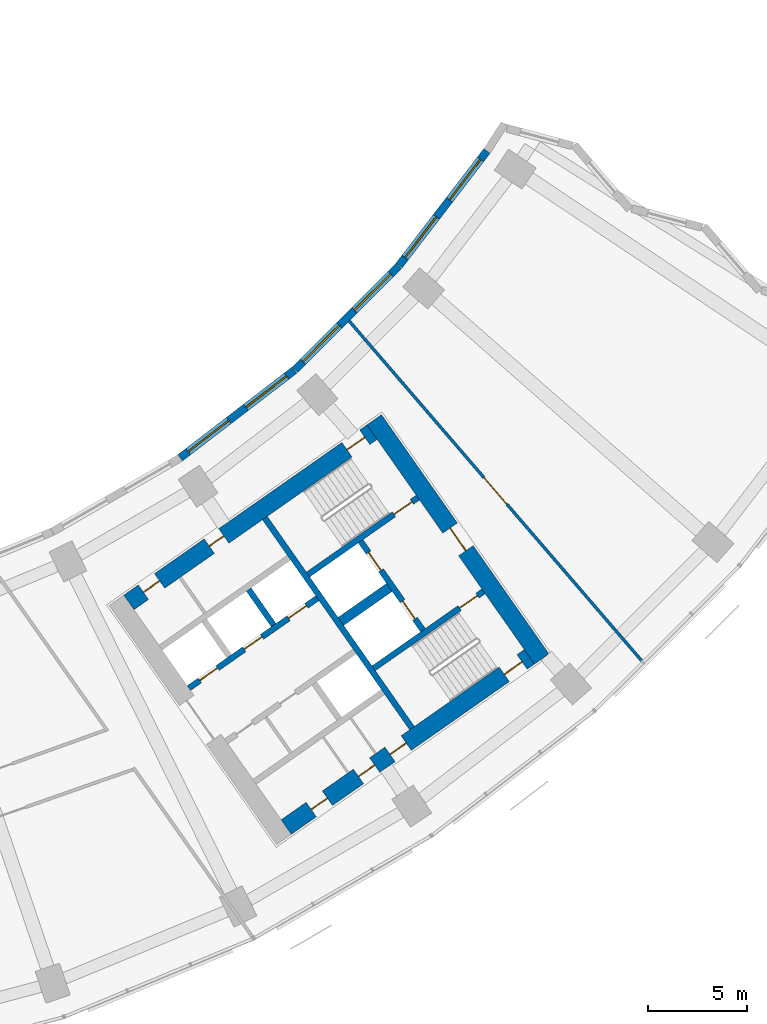
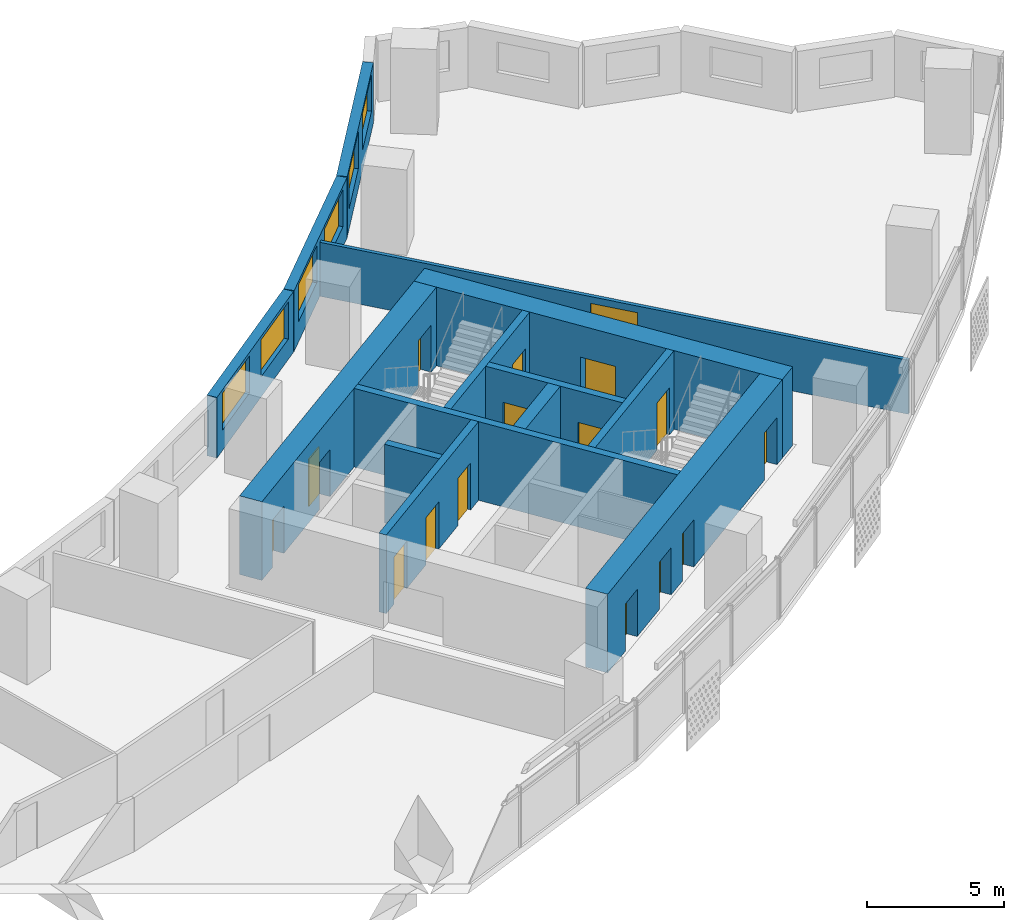
# One storey, part 7 of 31: 16 doors, 14 walls, 6 windows, 22 openings.
"""IFC4 building model written with IfcOpenShell, lengths in metres."""

from ifc_helpers import new_model, si_unit, direction, frame, frame_2d, origin, place, context, subcontext, project, spatial, rectangle, extrude, material, layer, layer_set, type_object, element, fill, save


model = new_model("IFC4")

# Units and contexts
model_context = context("Model", 3, precision=1e-05, world=origin(), true_north=direction((0.0, 1.0)))
body_context = subcontext(model_context, "Body", "Model", "MODEL_VIEW")
ifc_project = project(units=[si_unit("LENGTHUNIT", "METRE"), si_unit("AREAUNIT", "SQUARE_METRE"), si_unit("VOLUMEUNIT", "CUBIC_METRE"), si_unit("PLANEANGLEUNIT", "RADIAN"), si_unit("MASSUNIT", "GRAM", prefix="KILO")], contexts=[model_context])

# Site, building, storey
site_placement = place(None, origin())
site = spatial("IfcSite", under=ifc_project, at=site_placement, CompositionType="ELEMENT")
building_placement = place(site_placement, origin())
building = spatial("IfcBuilding", under=site, at=building_placement, Name="Qamariyya Broadcast Tower", CompositionType="ELEMENT")
storey_placement = place(building_placement, frame((0.0, 0.0, 51.89990234375)))
storey = spatial("IfcBuildingStorey", under=building, at=storey_placement, Name="L09", CompositionType="ELEMENT", Elevation=51.89990234375)

# Wall, opening, door
ifc_material_1 = material(Name="Concrete C70/85", Category="concrete")
ifc_layer_1 = layer(ifc_material_1, 0.89990234375)
ifc_layer_set_1 = layer_set([ifc_layer_1], Name="Core wall 900 mm Concrete C70/85")
wall_type_1 = type_object("IfcWallType", Name="Core wall 900 mm Concrete C70/85", PredefinedType="SHEAR", material=ifc_layer_set_1)
wall_1_placement = place(storey_placement, frame((49.778564453125, -57.191162109375, 0.0), z_axis=(0.0, 0.0, 1.0), x_axis=(-0.573577477574, 0.819151315216, 0.0)))
wall_1 = element("IfcWall", 1, at=wall_1_placement, inside=storey, type_object=wall_type_1, Name="k-E-L09-WH", PredefinedType="SHEAR", context=body_context, shape_type="SweptSolid", body=[
    extrude(rectangle(XDim=14.800048828125, YDim=0.89990234375, at=frame_2d((7.39990234375, 0.0))), origin(), (0.0, 0.0, 1.0), 3.5),
])
opening_1_placement = place(wall_1_placement, frame((6.699951171875, 0.0, 0.0)))
opening_1 = element("IfcOpeningElement", 2, at=opening_1_placement, cuts=wall_1, Name="Opening KD2-E1", PredefinedType="OPENING", context=body_context, shape_type="SweptSolid", body=[
    extrude(rectangle(XDim=1.39990234375, YDim=2.10009765625, at=frame_2d((0.699951171875, 1.050048828125))), frame((0.0, 0.4599609375, 0.0), z_axis=(0.0, -1.0, 0.0), x_axis=(1.0, 0.0, 0.0)), (0.0, 0.0, 1.0), 0.919921875),
])
ifc_material_2 = material(Name="Steel fire-resisting door leaf", Category="steel")
door_type_1 = type_object("IfcDoorType", Name="Fire-fighting lobby door KD2", OperationType="DOUBLE_DOOR_SINGLE_SWING", PredefinedType="DOOR", material=ifc_material_2)
door_1_placement = place(opening_1_placement, origin())
door_1 = element("IfcDoor", 3, at=door_1_placement, inside=storey, type_object=door_type_1, Name="k-E-L09-WH-D14", OperationType="DOUBLE_DOOR_SINGLE_SWING", OverallHeight=2.10009765625, OverallWidth=1.39990234375, PredefinedType="DOOR", context=body_context, shape_type="SweptSolid", body=[
    extrude(rectangle(XDim=1.39990234375, YDim=2.10009765625, at=frame_2d((0.699951171875, 1.050048828125))), frame((0.0, 0.02490234375, 0.0), z_axis=(0.0, -1.0, 0.0), x_axis=(1.0, 0.0, 0.0)), (0.0, 0.0, 1.0), 0.050048828125),
])
fill(opening_1, door_1)

# Wall, openings, doors
wall_2_placement = place(storey_placement, frame((28.8544921875, -54.32421875, 0.0), z_axis=(0.0, 0.0, 1.0), x_axis=(0.819145767589, 0.573585400304, 0.0)))
wall_2 = element("IfcWall", 4, at=wall_2_placement, inside=storey, type_object=wall_type_1, Name="k-E-L09-WI", PredefinedType="SHEAR", context=body_context, shape_type="SweptSolid", body=[
    extrude(rectangle(XDim=15.04541015625, YDim=0.89990234375, at=frame_2d((7.522705078125, 0.0))), origin(), (0.0, 0.0, 1.0), 3.5),
])
opening_2_placement = place(wall_2_placement, frame((0.89990234375, 0.0, 0.0)))
opening_2 = element("IfcOpeningElement", 5, at=opening_2_placement, cuts=wall_2, Name="Opening KD7-E1", PredefinedType="OPENING", context=body_context, shape_type="SweptSolid", body=[
    extrude(rectangle(XDim=1.0, YDim=2.10009765625, at=frame_2d((0.5, 1.050048828125))), frame((0.0, 0.4599609375, 0.0), z_axis=(0.0, -1.0, 0.0), x_axis=(1.0, 0.0, 0.0)), (0.0, 0.0, 1.0), 0.919921875),
])
opening_3_placement = place(wall_2_placement, frame((4.97509765625, 0.0, 0.0)))
opening_3 = element("IfcOpeningElement", 6, at=opening_3_placement, cuts=wall_2, Name="Opening KD5-E1", PredefinedType="OPENING", context=body_context, shape_type="SweptSolid", body=[
    extrude(rectangle(XDim=0.89990234375, YDim=2.10009765625, at=frame_2d((0.449951171875, 1.050048828125))), frame((0.0, 0.4599609375, 0.0), z_axis=(0.0, -1.0, 0.0), x_axis=(1.0, 0.0, 0.0)), (0.0, 0.0, 1.0), 0.919921875),
])
opening_4_placement = place(wall_2_placement, frame((13.495361328125, 0.0, 0.0)))
opening_4 = element("IfcOpeningElement", 7, at=opening_4_placement, cuts=wall_2, Name="Opening KD1-E1", PredefinedType="OPENING", context=body_context, shape_type="SweptSolid", body=[
    extrude(rectangle(XDim=1.10009765625, YDim=2.10009765625, at=frame_2d((0.550048828125, 1.050048828125))), frame((0.0, 0.4599609375, 0.0), z_axis=(0.0, -1.0, 0.0), x_axis=(1.0, 0.0, 0.0)), (0.0, 0.0, 1.0), 0.919921875),
])
door_type_2 = type_object("IfcDoorType", Name="Accessible toilet door KD7", OperationType="SINGLE_SWING_LEFT", PredefinedType="DOOR", material=ifc_material_2)
door_2_placement = place(opening_2_placement, origin())
door_2 = element("IfcDoor", 8, at=door_2_placement, inside=storey, type_object=door_type_2, Name="k-E-L09-WI-D7", OperationType="SINGLE_SWING_LEFT", OverallHeight=2.10009765625, OverallWidth=1.0, PredefinedType="DOOR", context=body_context, shape_type="SweptSolid", body=[
    extrude(rectangle(XDim=1.0, YDim=2.10009765625, at=frame_2d((0.5, 1.050048828125))), frame((0.0, 0.02490234375, 0.0), z_axis=(0.0, -1.0, 0.0), x_axis=(1.0, 0.0, 0.0)), (0.0, 0.0, 1.0), 0.050048828125),
])
fill(opening_2, door_2)
door_type_3 = type_object("IfcDoorType", Name="Stair door KD1", OperationType="SINGLE_SWING_LEFT", PredefinedType="DOOR", material=ifc_material_2)
door_3_placement = place(opening_4_placement, origin())
door_3 = element("IfcDoor", 9, at=door_3_placement, inside=storey, type_object=door_type_3, Name="k-E-L09-WI-D15", OperationType="SINGLE_SWING_RIGHT", OverallHeight=2.10009765625, OverallWidth=1.10009765625, PredefinedType="DOOR", context=body_context, shape_type="SweptSolid", body=[
    extrude(rectangle(XDim=1.10009765625, YDim=2.10009765625, at=frame_2d((0.550048828125, 1.050048828125))), frame((0.0, 0.02490234375, 0.0), z_axis=(0.0, -1.0, 0.0), x_axis=(1.0, 0.0, 0.0)), (0.0, 0.0, 1.0), 0.050048828125),
])
fill(opening_4, door_3)
door_type_4 = type_object("IfcDoorType", Name="Toilet door KD5", OperationType="SINGLE_SWING_LEFT", PredefinedType="DOOR", material=ifc_material_2)
door_4_placement = place(opening_3_placement, origin())
door_4 = element("IfcDoor", 10, at=door_4_placement, inside=storey, type_object=door_type_4, Name="k-E-L09-WI-D8", OperationType="SINGLE_SWING_RIGHT", OverallHeight=2.10009765625, OverallWidth=0.89990234375, PredefinedType="DOOR", context=body_context, shape_type="SweptSolid", body=[
    extrude(rectangle(XDim=0.89990234375, YDim=2.10009765625, at=frame_2d((0.449951171875, 1.050048828125))), frame((0.0, 0.02490234375, 0.0), z_axis=(0.0, -1.0, 0.0), x_axis=(1.0, 0.0, 0.0)), (0.0, 0.0, 1.0), 0.050048828125),
])
fill(opening_3, door_4)

wall_3_placement = place(storey_placement, frame((36.827392578125, -65.710205078125, 0.0), z_axis=(0.0, 0.0, 1.0), x_axis=(0.819153391756, 0.573574511963, 0.0)))
wall_3 = element("IfcWall", 11, at=wall_3_placement, inside=storey, type_object=wall_type_1, Name="k-E-L09-WO", PredefinedType="SHEAR", context=body_context, shape_type="SweptSolid", body=[
    extrude(rectangle(XDim=15.04541015625, YDim=0.89990234375, at=frame_2d((7.522705078125, 0.0))), origin(), (0.0, 0.0, 1.0), 3.5),
])
opening_5_placement = place(wall_3_placement, frame((1.550048828125, 0.0, 0.0)))
opening_5 = element("IfcOpeningElement", 12, at=opening_5_placement, cuts=wall_3, Name="Opening KD4-E2", PredefinedType="OPENING", context=body_context, shape_type="SweptSolid", body=[
    extrude(rectangle(XDim=1.0, YDim=2.10009765625, at=frame_2d((0.5, 1.050048828125))), frame((0.0, 0.4599609375, 0.0), z_axis=(0.0, -1.0, 0.0), x_axis=(1.0, 0.0, 0.0)), (0.0, 0.0, 1.0), 0.919921875),
])
opening_6_placement = place(wall_3_placement, frame((4.47509765625, 0.0, 0.0)))
opening_6 = element("IfcOpeningElement", 13, at=opening_6_placement, cuts=wall_3, Name="Opening KD4-E3", PredefinedType="OPENING", context=body_context, shape_type="SweptSolid", body=[
    extrude(rectangle(XDim=1.0, YDim=2.10009765625, at=frame_2d((0.5, 1.050048828125))), frame((0.0, 0.4599609375, 0.0), z_axis=(0.0, -1.0, 0.0), x_axis=(1.0, 0.0, 0.0)), (0.0, 0.0, 1.0), 0.919921875),
])
opening_7_placement = place(wall_3_placement, frame((6.425048828125, 0.0, 0.0)))
opening_7 = element("IfcOpeningElement", 14, at=opening_7_placement, cuts=wall_3, Name="Opening KD4-E4", PredefinedType="OPENING", context=body_context, shape_type="SweptSolid", body=[
    extrude(rectangle(XDim=1.0, YDim=2.10009765625, at=frame_2d((0.5, 1.050048828125))), frame((0.0, 0.4599609375, 0.0), z_axis=(0.0, -1.0, 0.0), x_axis=(1.0, 0.0, 0.0)), (0.0, 0.0, 1.0), 0.919921875),
])
opening_8_placement = place(wall_3_placement, frame((13.495361328125, 0.0, 0.0)))
opening_8 = element("IfcOpeningElement", 15, at=opening_8_placement, cuts=wall_3, Name="Opening KD1-E3", PredefinedType="OPENING", context=body_context, shape_type="SweptSolid", body=[
    extrude(rectangle(XDim=1.10009765625, YDim=2.10009765625, at=frame_2d((0.550048828125, 1.050048828125))), frame((0.0, 0.4599609375, 0.0), z_axis=(0.0, -1.0, 0.0), x_axis=(1.0, 0.0, 0.0)), (0.0, 0.0, 1.0), 0.919921875),
])
door_type_5 = type_object("IfcDoorType", Name="Riser and plant door KD4", OperationType="SINGLE_SWING_LEFT", PredefinedType="DOOR", material=ifc_material_2)
door_5_placement = place(opening_5_placement, origin())
door_5 = element("IfcDoor", 16, at=door_5_placement, inside=storey, type_object=door_type_5, Name="k-E-L09-WO-D9", OperationType="SINGLE_SWING_LEFT", OverallHeight=2.10009765625, OverallWidth=1.0, PredefinedType="DOOR", context=body_context, shape_type="SweptSolid", body=[
    extrude(rectangle(XDim=1.0, YDim=2.10009765625, at=frame_2d((0.5, 1.050048828125))), frame((0.0, 0.02490234375, 0.0), z_axis=(0.0, -1.0, 0.0), x_axis=(1.0, 0.0, 0.0)), (0.0, 0.0, 1.0), 0.050048828125),
])
fill(opening_5, door_5)
door_6_placement = place(opening_6_placement, origin())
door_6 = element("IfcDoor", 17, at=door_6_placement, inside=storey, type_object=door_type_5, Name="k-E-L09-WO-D10", OperationType="SINGLE_SWING_RIGHT", OverallHeight=2.10009765625, OverallWidth=1.0, PredefinedType="DOOR", context=body_context, shape_type="SweptSolid", body=[
    extrude(rectangle(XDim=1.0, YDim=2.10009765625, at=frame_2d((0.5, 1.050048828125))), frame((0.0, 0.02490234375, 0.0), z_axis=(0.0, -1.0, 0.0), x_axis=(1.0, 0.0, 0.0)), (0.0, 0.0, 1.0), 0.050048828125),
])
fill(opening_6, door_6)
door_7_placement = place(opening_7_placement, origin())
door_7 = element("IfcDoor", 18, at=door_7_placement, inside=storey, type_object=door_type_5, Name="k-E-L09-WO-D11", OperationType="SINGLE_SWING_LEFT", OverallHeight=2.10009765625, OverallWidth=1.0, PredefinedType="DOOR", context=body_context, shape_type="SweptSolid", body=[
    extrude(rectangle(XDim=1.0, YDim=2.10009765625, at=frame_2d((0.5, 1.050048828125))), frame((0.0, 0.02490234375, 0.0), z_axis=(0.0, -1.0, 0.0), x_axis=(1.0, 0.0, 0.0)), (0.0, 0.0, 1.0), 0.050048828125),
])
fill(opening_7, door_7)
door_8_placement = place(opening_8_placement, origin())
door_8 = element("IfcDoor", 19, at=door_8_placement, inside=storey, type_object=door_type_3, Name="k-E-L09-WO-D17", OperationType="SINGLE_SWING_LEFT", OverallHeight=2.10009765625, OverallWidth=1.10009765625, PredefinedType="DOOR", context=body_context, shape_type="SweptSolid", body=[
    extrude(rectangle(XDim=1.10009765625, YDim=2.10009765625, at=frame_2d((0.550048828125, 1.050048828125))), frame((0.0, 0.02490234375, 0.0), z_axis=(0.0, -1.0, 0.0), x_axis=(1.0, 0.0, 0.0)), (0.0, 0.0, 1.0), 0.050048828125),
])
fill(opening_8, door_8)

# Wall, opening, door
ifc_material_3 = material(Name="Gypsum board partition")
ifc_layer_2 = layer(ifc_material_3, 0.14990234375)
ifc_layer_set_2 = layer_set([ifc_layer_2], Name="Corridor partition 150 EI 60")
wall_type_2 = type_object("IfcWallType", Name="Corridor partition 150 EI 60", PredefinedType="PARTITIONING", material=ifc_layer_set_2)
wall_4_placement = place(storey_placement, frame((40.021240234375, -40.063232421875, 0.0), z_axis=(0.0, 0.0, 1.0), x_axis=(0.652471531746, -0.757813235739, 0.0)))
wall_4 = element("IfcWall", 20, at=wall_4_placement, inside=storey, type_object=wall_type_2, Name="Partition L09-029", PredefinedType="PARTITIONING", context=body_context, shape_type="SweptSolid", body=[
    extrude(rectangle(XDim=22.71484375, YDim=0.14990234375, at=frame_2d((11.357421875, 0.0))), origin(), (0.0, 0.0, 1.0), 2.400146484375),
])
opening_9_placement = place(wall_4_placement, frame((10.45751953125, 0.0, 0.0)))
opening_9 = element("IfcOpeningElement", 21, at=opening_9_placement, cuts=wall_4, Name="Opening L09-D14", PredefinedType="OPENING", context=body_context, shape_type="SweptSolid", body=[
    extrude(rectangle(XDim=1.800048828125, YDim=2.10009765625, at=frame_2d((0.89990234375, 1.050048828125))), frame((0.0, 0.0849609375, 0.0), z_axis=(0.0, -1.0, 0.0), x_axis=(1.0, 0.0, 0.0)), (0.0, 0.0, 1.0), 0.169921875),
])
ifc_material_4 = material(Name="Timber fire door leaf", Category="wood")
door_type_6 = type_object("IfcDoorType", Name="Double fire door 1800 x 2100 FD60", OperationType="NOTDEFINED", PredefinedType="DOOR", material=ifc_material_4)
door_9_placement = place(opening_9_placement, origin())
door_9 = element("IfcDoor", 22, at=door_9_placement, inside=storey, type_object=door_type_6, Name="Door L09-D14", OperationType="DOUBLE_DOOR_SINGLE_SWING", OverallHeight=2.10009765625, OverallWidth=1.800048828125, PredefinedType="DOOR", context=body_context, shape_type="SweptSolid", body=[
    extrude(rectangle(XDim=1.800048828125, YDim=2.10009765625, at=frame_2d((0.89990234375, 1.050048828125))), frame((0.0, 0.02490234375, 0.0), z_axis=(0.0, -1.0, 0.0), x_axis=(1.0, 0.0, 0.0)), (0.0, 0.0, 1.0), 0.050048828125),
])
fill(opening_9, door_9)

# Walls
ifc_material_5 = material(Name="Concrete C60/75", Category="concrete")
ifc_layer_3 = layer(ifc_material_5, 0.5)
ifc_layer_set_3 = layer_set([ifc_layer_3], Name="Fire-fighting lobby divider wall 500 mm Concrete C60/75")
wall_type_3 = type_object("IfcWallType", Name="Fire-fighting lobby divider wall 500 mm Concrete C60/75", PredefinedType="SOLIDWALL", material=ifc_layer_set_3)
wall_5_placement = place(storey_placement, frame((39.59912109375, -55.28515625, 0.0), z_axis=(0.0, 0.0, 1.0), x_axis=(0.819136323161, 0.573598887793, 0.0)))
element("IfcWall", 23, at=wall_5_placement, inside=storey, type_object=wall_type_3, Name="k-E-L09-FD", PredefinedType="SOLIDWALL", context=body_context, shape_type="SweptSolid", body=[
    extrude(rectangle(XDim=2.999755859375, YDim=0.5, at=frame_2d((1.5, 0.0))), origin(), (0.0, 0.0, 1.0), 3.5),
])
ifc_layer_4 = layer(ifc_material_5, 0.300048828125)
ifc_layer_set_4 = layer_set([ifc_layer_4], Name="Lift shaft wall 300 mm Concrete C60/75")
wall_type_4 = type_object("IfcWallType", Name="Lift shaft wall 300 mm Concrete C60/75", PredefinedType="SOLIDWALL", material=ifc_layer_set_4)
wall_6_placement = place(storey_placement, frame((43.204345703125, -60.69580078125, 0.0), z_axis=(0.0, 0.0, 1.0), x_axis=(-0.573571992966, 0.819155155563, 0.0)))
element("IfcWall", 24, at=wall_6_placement, inside=storey, type_object=wall_type_4, Name="k-E-L09-WL", PredefinedType="SOLIDWALL", context=body_context, shape_type="SweptSolid", body=[
    extrude(rectangle(XDim=13.000244140625, YDim=0.300048828125, at=frame_2d((6.5, 0.0))), origin(), (0.0, 0.0, 1.0), 3.5),
])

# Wall, openings, doors
wall_7_placement = place(storey_placement, frame((31.89453125, -58.66552734375, 0.0), z_axis=(0.0, 0.0, 1.0), x_axis=(0.819166993208, 0.573555086491, 0.0)))
wall_7 = element("IfcWall", 25, at=wall_7_placement, inside=storey, type_object=wall_type_4, Name="k-E-L09-NF0", PredefinedType="SOLIDWALL", context=body_context, shape_type="SweptSolid", body=[
    extrude(rectangle(XDim=7.9501953125, YDim=0.300048828125, at=frame_2d((3.97509765625, 0.0))), origin(), (0.0, 0.0, 1.0), 3.5),
])
opening_10_placement = place(wall_7_placement, frame((0.675048828125, 0.0, 0.0)))
opening_10 = element("IfcOpeningElement", 26, at=opening_10_placement, cuts=wall_7, Name="Opening LD", PredefinedType="OPENING", context=body_context, shape_type="SweptSolid", body=[
    extrude(rectangle(XDim=1.10009765625, YDim=2.10009765625, at=frame_2d((0.550048828125, 1.050048828125))), frame((0.0, 0.159912109375, 0.0), z_axis=(0.0, -1.0, 0.0), x_axis=(1.0, 0.0, 0.0)), (0.0, 0.0, 1.0), 0.320068359375),
])
opening_11_placement = place(wall_7_placement, frame((3.425048828125, 0.0, 0.0)))
opening_11 = element("IfcOpeningElement", 27, at=opening_11_placement, cuts=wall_7, Name="Opening LD", PredefinedType="OPENING", context=body_context, shape_type="SweptSolid", body=[
    extrude(rectangle(XDim=1.10009765625, YDim=2.10009765625, at=frame_2d((0.550048828125, 1.050048828125))), frame((0.0, 0.159912109375, 0.0), z_axis=(0.0, -1.0, 0.0), x_axis=(1.0, 0.0, 0.0)), (0.0, 0.0, 1.0), 0.320068359375),
])
opening_12_placement = place(wall_7_placement, frame((6.175048828125, 0.0, 0.0)))
opening_12 = element("IfcOpeningElement", 28, at=opening_12_placement, cuts=wall_7, Name="Opening LD", PredefinedType="OPENING", context=body_context, shape_type="SweptSolid", body=[
    extrude(rectangle(XDim=1.10009765625, YDim=2.10009765625, at=frame_2d((0.550048828125, 1.050048828125))), frame((0.0, 0.159912109375, 0.0), z_axis=(0.0, -1.0, 0.0), x_axis=(1.0, 0.0, 0.0)), (0.0, 0.0, 1.0), 0.320068359375),
])
door_type_7 = type_object("IfcDoorType", Name="Lift landing door LD", OperationType="DOUBLE_DOOR_SLIDING", PredefinedType="DOOR", material=ifc_material_2)
door_10_placement = place(opening_10_placement, origin())
door_10 = element("IfcDoor", 29, at=door_10_placement, inside=storey, type_object=door_type_7, Name="k-E-L09-NF0-D2", OperationType="DOUBLE_DOOR_SLIDING", OverallHeight=2.10009765625, OverallWidth=1.10009765625, PredefinedType="DOOR", context=body_context, shape_type="SweptSolid", body=[
    extrude(rectangle(XDim=1.10009765625, YDim=2.10009765625, at=frame_2d((0.550048828125, 1.050048828125))), frame((0.0, 0.02490234375, 0.0), z_axis=(0.0, -1.0, 0.0), x_axis=(1.0, 0.0, 0.0)), (0.0, 0.0, 1.0), 0.050048828125),
])
fill(opening_10, door_10)
door_11_placement = place(opening_11_placement, origin())
door_11 = element("IfcDoor", 30, at=door_11_placement, inside=storey, type_object=door_type_7, Name="k-E-L09-NF0-D3", OperationType="DOUBLE_DOOR_SLIDING", OverallHeight=2.10009765625, OverallWidth=1.10009765625, PredefinedType="DOOR", context=body_context, shape_type="SweptSolid", body=[
    extrude(rectangle(XDim=1.10009765625, YDim=2.10009765625, at=frame_2d((0.550048828125, 1.050048828125))), frame((0.0, 0.02490234375, 0.0), z_axis=(0.0, -1.0, 0.0), x_axis=(1.0, 0.0, 0.0)), (0.0, 0.0, 1.0), 0.050048828125),
])
fill(opening_11, door_11)
door_12_placement = place(opening_12_placement, origin())
door_12 = element("IfcDoor", 31, at=door_12_placement, inside=storey, type_object=door_type_7, Name="k-E-L09-NF0-D4", OperationType="DOUBLE_DOOR_SLIDING", OverallHeight=2.10009765625, OverallWidth=1.10009765625, PredefinedType="DOOR", context=body_context, shape_type="SweptSolid", body=[
    extrude(rectangle(XDim=1.10009765625, YDim=2.10009765625, at=frame_2d((0.550048828125, 1.050048828125))), frame((0.0, 0.02490234375, 0.0), z_axis=(0.0, -1.0, 0.0), x_axis=(1.0, 0.0, 0.0)), (0.0, 0.0, 1.0), 0.050048828125),
])
fill(opening_12, door_12)

# Wall
wall_8_placement = place(storey_placement, frame((36.19091796875, -55.47412109375, 0.0), z_axis=(0.0, 0.0, 1.0), x_axis=(-0.573507030513, 0.819200638399, 0.0)))
element("IfcWall", 32, at=wall_8_placement, inside=storey, type_object=wall_type_4, Name="k-E-L09-ND1", PredefinedType="SOLIDWALL", context=body_context, shape_type="SweptSolid", body=[
    extrude(rectangle(XDim=2.199951171875, YDim=0.300048828125, at=frame_2d((1.10009765625, 0.0))), origin(), (0.0, 0.0, 1.0), 3.5),
])

# Wall, opening, door
wall_9_placement = place(storey_placement, frame((37.935546875, -52.90966796875, 0.0), z_axis=(0.0, 0.0, 1.0), x_axis=(0.819147518138, 0.57358290031, 0.0)))
wall_9 = element("IfcWall", 33, at=wall_9_placement, inside=storey, type_object=wall_type_4, Name="k-E-L09-NW", PredefinedType="SOLIDWALL", context=body_context, shape_type="SweptSolid", body=[
    extrude(rectangle(XDim=6.79541015625, YDim=0.300048828125, at=frame_2d((3.397705078125, 0.0))), origin(), (0.0, 0.0, 1.0), 3.5),
])
opening_13_placement = place(wall_9_placement, frame((5.3203125, 0.0, 0.0)))
opening_13 = element("IfcOpeningElement", 34, at=opening_13_placement, cuts=wall_9, Name="Opening KD1-E2", PredefinedType="OPENING", context=body_context, shape_type="SweptSolid", body=[
    extrude(rectangle(XDim=1.10009765625, YDim=2.10009765625, at=frame_2d((0.550048828125, 1.050048828125))), frame((0.0, 0.159912109375, 0.0), z_axis=(0.0, -1.0, 0.0), x_axis=(1.0, 0.0, 0.0)), (0.0, 0.0, 1.0), 0.320068359375),
])
door_13_placement = place(opening_13_placement, origin())
door_13 = element("IfcDoor", 35, at=door_13_placement, inside=storey, type_object=door_type_3, Name="k-E-L09-NW-D16", OperationType="SINGLE_SWING_RIGHT", OverallHeight=2.10009765625, OverallWidth=1.10009765625, PredefinedType="DOOR", context=body_context, shape_type="SweptSolid", body=[
    extrude(rectangle(XDim=1.10009765625, YDim=2.10009765625, at=frame_2d((0.550048828125, 1.050048828125))), frame((0.0, 0.02490234375, 0.0), z_axis=(0.0, -1.0, 0.0), x_axis=(1.0, 0.0, 0.0)), (0.0, 0.0, 1.0), 0.050048828125),
])
fill(opening_13, door_13)

wall_10_placement = place(storey_placement, frame((41.262451171875, -57.66064453125, 0.0), z_axis=(0.0, 0.0, 1.0), x_axis=(0.819164398642, 0.573558792102, 0.0)))
wall_10 = element("IfcWall", 36, at=wall_10_placement, inside=storey, type_object=wall_type_4, Name="k-E-L09-SW", PredefinedType="SOLIDWALL", context=body_context, shape_type="SweptSolid", body=[
    extrude(rectangle(XDim=6.795166015625, YDim=0.300048828125, at=frame_2d((3.3974609375, 0.0))), origin(), (0.0, 0.0, 1.0), 3.5),
])
opening_14_placement = place(wall_10_placement, frame((5.3203125, 0.0, 0.0)))
opening_14 = element("IfcOpeningElement", 37, at=opening_14_placement, cuts=wall_10, Name="Opening KD1-E4", PredefinedType="OPENING", context=body_context, shape_type="SweptSolid", body=[
    extrude(rectangle(XDim=1.10009765625, YDim=2.10009765625, at=frame_2d((0.550048828125, 1.050048828125))), frame((0.0, 0.159912109375, 0.0), z_axis=(0.0, -1.0, 0.0), x_axis=(1.0, 0.0, 0.0)), (0.0, 0.0, 1.0), 0.320068359375),
])
door_14_placement = place(opening_14_placement, origin())
door_14 = element("IfcDoor", 38, at=door_14_placement, inside=storey, type_object=door_type_3, Name="k-E-L09-SW-D18", OperationType="SINGLE_SWING_RIGHT", OverallHeight=2.10009765625, OverallWidth=1.10009765625, PredefinedType="DOOR", context=body_context, shape_type="SweptSolid", body=[
    extrude(rectangle(XDim=1.10009765625, YDim=2.10009765625, at=frame_2d((0.550048828125, 1.050048828125))), frame((0.0, 0.02490234375, 0.0), z_axis=(0.0, -1.0, 0.0), x_axis=(1.0, 0.0, 0.0)), (0.0, 0.0, 1.0), 0.050048828125),
])
fill(opening_14, door_14)

# Wall, openings, doors
wall_11_placement = place(storey_placement, frame((43.756591796875, -55.731201171875, 0.0), z_axis=(0.0, 0.0, 1.0), x_axis=(-0.573536818435, 0.819179783625, 0.0)))
wall_11 = element("IfcWall", 39, at=wall_11_placement, inside=storey, type_object=wall_type_4, Name="k-E-L09-FF", PredefinedType="SOLIDWALL", context=body_context, shape_type="SweptSolid", body=[
    extrude(rectangle(XDim=5.500244140625, YDim=0.300048828125, at=frame_2d((2.75, 0.0))), origin(), (0.0, 0.0, 1.0), 3.5),
])
opening_15_placement = place(wall_11_placement, frame((0.699951171875, 0.0, 0.0)))
opening_15 = element("IfcOpeningElement", 40, at=opening_15_placement, cuts=wall_11, Name="Opening LD", PredefinedType="OPENING", context=body_context, shape_type="SweptSolid", body=[
    extrude(rectangle(XDim=1.10009765625, YDim=2.10009765625, at=frame_2d((0.550048828125, 1.050048828125))), frame((0.0, 0.159912109375, 0.0), z_axis=(0.0, -1.0, 0.0), x_axis=(1.0, 0.0, 0.0)), (0.0, 0.0, 1.0), 0.320068359375),
])
opening_16_placement = place(wall_11_placement, frame((3.699951171875, 0.0, 0.0)))
opening_16 = element("IfcOpeningElement", 41, at=opening_16_placement, cuts=wall_11, Name="Opening LD", PredefinedType="OPENING", context=body_context, shape_type="SweptSolid", body=[
    extrude(rectangle(XDim=1.10009765625, YDim=2.10009765625, at=frame_2d((0.550048828125, 1.050048828125))), frame((0.0, 0.159912109375, 0.0), z_axis=(0.0, -1.0, 0.0), x_axis=(1.0, 0.0, 0.0)), (0.0, 0.0, 1.0), 0.320068359375),
])
door_15_placement = place(opening_15_placement, origin())
door_15 = element("IfcDoor", 42, at=door_15_placement, inside=storey, type_object=door_type_7, Name="k-E-L09-FF-D12", OperationType="DOUBLE_DOOR_SLIDING", OverallHeight=2.10009765625, OverallWidth=1.10009765625, PredefinedType="DOOR", context=body_context, shape_type="SweptSolid", body=[
    extrude(rectangle(XDim=1.10009765625, YDim=2.10009765625, at=frame_2d((0.550048828125, 1.050048828125))), frame((0.0, 0.02490234375, 0.0), z_axis=(0.0, -1.0, 0.0), x_axis=(1.0, 0.0, 0.0)), (0.0, 0.0, 1.0), 0.050048828125),
])
fill(opening_15, door_15)
door_16_placement = place(opening_16_placement, origin())
door_16 = element("IfcDoor", 43, at=door_16_placement, inside=storey, type_object=door_type_7, Name="k-E-L09-FF-D13", OperationType="DOUBLE_DOOR_SLIDING", OverallHeight=2.10009765625, OverallWidth=1.10009765625, PredefinedType="DOOR", context=body_context, shape_type="SweptSolid", body=[
    extrude(rectangle(XDim=1.10009765625, YDim=2.10009765625, at=frame_2d((0.550048828125, 1.050048828125))), frame((0.0, 0.02490234375, 0.0), z_axis=(0.0, -1.0, 0.0), x_axis=(1.0, 0.0, 0.0)), (0.0, 0.0, 1.0), 0.050048828125),
])
fill(opening_16, door_16)

# Wall, openings, windows
ifc_material_6 = material(Name="Terracotta", Category="masonry")
ifc_layer_5 = layer(ifc_material_6, 0.39990234375)
ifc_layer_set_5 = layer_set([ifc_layer_5], Name="Terracotta clad wall 400")
wall_type_5 = type_object("IfcWallType", Name="Terracotta clad wall 400", PredefinedType="SOLIDWALL", material=ifc_layer_set_5)
wall_12_placement = place(storey_placement, frame((37.24609375, -42.5478515625, 0.0), z_axis=(0.0, 0.0, 1.0), x_axis=(-0.79336607943, -0.60874482668, 0.0)))
wall_12 = element("IfcWall", 44, at=wall_12_placement, inside=storey, type_object=wall_type_5, Name="e-wl-L09-in130", PredefinedType="SOLIDWALL", context=body_context, shape_type="SweptSolid", body=[
    extrude(rectangle(XDim=7.295654296875, YDim=0.39990234375, at=frame_2d((3.64794921875, 0.0))), origin(), (0.0, 0.0, 1.0), 2.7001953125),
])
opening_17_placement = place(wall_12_placement, frame((4.190673828125, 0.0, 0.89990234375)))
opening_17 = element("IfcOpeningElement", 45, at=opening_17_placement, cuts=wall_12, Name="Opening W1", PredefinedType="OPENING", context=body_context, shape_type="SweptSolid", body=[
    extrude(rectangle(XDim=2.60009765625, YDim=1.64990234375, at=frame_2d((1.300048828125, 0.824951171875))), frame((0.0, 0.2099609375, 0.0), z_axis=(0.0, -1.0, 0.0), x_axis=(1.0, 0.0, 0.0)), (0.0, 0.0, 1.0), 0.419921875),
])
opening_18_placement = place(wall_12_placement, frame((0.505126953125, 0.0, 0.89990234375)))
opening_18 = element("IfcOpeningElement", 46, at=opening_18_placement, cuts=wall_12, Name="Opening W1", PredefinedType="OPENING", context=body_context, shape_type="SweptSolid", body=[
    extrude(rectangle(XDim=2.60009765625, YDim=1.64990234375, at=frame_2d((1.300048828125, 0.824951171875))), frame((0.0, 0.2099609375, 0.0), z_axis=(0.0, -1.0, 0.0), x_axis=(1.0, 0.0, 0.0)), (0.0, 0.0, 1.0), 0.419921875),
])
ifc_material_7 = material(Name="Clear low-e double glazed unit in aluminium frame", Category="aluminium")
window_type = type_object("IfcWindowType", Name="Ribbon window 2600 x 1650", PartitioningType="SINGLE_PANEL", PredefinedType="WINDOW", material=ifc_material_7)
window_1_placement = place(opening_17_placement, origin())
window_1 = element("IfcWindow", 47, at=window_1_placement, inside=storey, type_object=window_type, Name="e-w-L09-in13-0", OverallHeight=1.64990234375, OverallWidth=2.60009765625, PartitioningType="SINGLE_PANEL", PredefinedType="WINDOW", context=body_context, shape_type="SweptSolid", body=[
    extrude(rectangle(XDim=2.60009765625, YDim=1.64990234375, at=frame_2d((1.300048828125, 0.824951171875))), frame((0.0, 0.030029296875, 0.0), z_axis=(0.0, -1.0, 0.0), x_axis=(1.0, 0.0, 0.0)), (0.0, 0.0, 1.0), 0.06005859375),
])
fill(opening_17, window_1)
window_2_placement = place(opening_18_placement, origin())
window_2 = element("IfcWindow", 48, at=window_2_placement, inside=storey, type_object=window_type, Name="e-w-L09-in13-1", OverallHeight=1.64990234375, OverallWidth=2.60009765625, PartitioningType="SINGLE_PANEL", PredefinedType="WINDOW", context=body_context, shape_type="SweptSolid", body=[
    extrude(rectangle(XDim=2.60009765625, YDim=1.64990234375, at=frame_2d((1.300048828125, 0.824951171875))), frame((0.0, 0.030029296875, 0.0), z_axis=(0.0, -1.0, 0.0), x_axis=(1.0, 0.0, 0.0)), (0.0, 0.0, 1.0), 0.06005859375),
])
fill(opening_18, window_2)

wall_13_placement = place(storey_placement, frame((42.534423828125, -37.2685546875, 0.0), z_axis=(0.0, 0.0, 1.0), x_axis=(-0.707106781187, -0.707106781187, 0.0)))
wall_13 = element("IfcWall", 49, at=wall_13_placement, inside=storey, type_object=wall_type_5, Name="e-wl-L09-in140", PredefinedType="SOLIDWALL", context=body_context, shape_type="SweptSolid", body=[
    extrude(rectangle(XDim=7.447021484375, YDim=0.39990234375, at=frame_2d((3.7236328125, 0.0))), origin(), (0.0, 0.0, 1.0), 2.7001953125),
])
opening_19_placement = place(wall_13_placement, frame((4.266357421875, 0.0, 0.89990234375)))
opening_19 = element("IfcOpeningElement", 50, at=opening_19_placement, cuts=wall_13, Name="Opening W1", PredefinedType="OPENING", context=body_context, shape_type="SweptSolid", body=[
    extrude(rectangle(XDim=2.60009765625, YDim=1.64990234375, at=frame_2d((1.300048828125, 0.824951171875))), frame((0.0, 0.2099609375, 0.0), z_axis=(0.0, -1.0, 0.0), x_axis=(1.0, 0.0, 0.0)), (0.0, 0.0, 1.0), 0.419921875),
])
opening_20_placement = place(wall_13_placement, frame((0.580810546875, 0.0, 0.89990234375)))
opening_20 = element("IfcOpeningElement", 51, at=opening_20_placement, cuts=wall_13, Name="Opening W1", PredefinedType="OPENING", context=body_context, shape_type="SweptSolid", body=[
    extrude(rectangle(XDim=2.60009765625, YDim=1.64990234375, at=frame_2d((1.300048828125, 0.824951171875))), frame((0.0, 0.2099609375, 0.0), z_axis=(0.0, -1.0, 0.0), x_axis=(1.0, 0.0, 0.0)), (0.0, 0.0, 1.0), 0.419921875),
])
window_3_placement = place(opening_19_placement, origin())
window_3 = element("IfcWindow", 52, at=window_3_placement, inside=storey, type_object=window_type, Name="e-w-L09-in14-0", OverallHeight=1.64990234375, OverallWidth=2.60009765625, PartitioningType="SINGLE_PANEL", PredefinedType="WINDOW", context=body_context, shape_type="SweptSolid", body=[
    extrude(rectangle(XDim=2.60009765625, YDim=1.64990234375, at=frame_2d((1.300048828125, 0.824951171875))), frame((0.0, 0.030029296875, 0.0), z_axis=(0.0, -1.0, 0.0), x_axis=(1.0, 0.0, 0.0)), (0.0, 0.0, 1.0), 0.06005859375),
])
fill(opening_19, window_3)
window_4_placement = place(opening_20_placement, origin())
window_4 = element("IfcWindow", 53, at=window_4_placement, inside=storey, type_object=window_type, Name="e-w-L09-in14-1", OverallHeight=1.64990234375, OverallWidth=2.60009765625, PartitioningType="SINGLE_PANEL", PredefinedType="WINDOW", context=body_context, shape_type="SweptSolid", body=[
    extrude(rectangle(XDim=2.60009765625, YDim=1.64990234375, at=frame_2d((1.300048828125, 0.824951171875))), frame((0.0, 0.030029296875, 0.0), z_axis=(0.0, -1.0, 0.0), x_axis=(1.0, 0.0, 0.0)), (0.0, 0.0, 1.0), 0.06005859375),
])
fill(opening_20, window_4)

wall_14_placement = place(storey_placement, frame((46.998046875, -31.4462890625, 0.0), z_axis=(0.0, 0.0, 1.0), x_axis=(-0.608748398091, -0.793363339096, 0.0)))
wall_14 = element("IfcWall", 54, at=wall_14_placement, inside=storey, type_object=wall_type_5, Name="e-wl-L09-in150", PredefinedType="SOLIDWALL", context=body_context, shape_type="SweptSolid", body=[
    extrude(rectangle(XDim=7.310302734375, YDim=0.39990234375, at=frame_2d((3.6552734375, 0.0))), origin(), (0.0, 0.0, 1.0), 2.7001953125),
])
opening_21_placement = place(wall_14_placement, frame((4.20556640625, 0.0, 0.89990234375)))
opening_21 = element("IfcOpeningElement", 55, at=opening_21_placement, cuts=wall_14, Name="Opening W1", PredefinedType="OPENING", context=body_context, shape_type="SweptSolid", body=[
    extrude(rectangle(XDim=2.60009765625, YDim=1.64990234375, at=frame_2d((1.300048828125, 0.824951171875))), frame((0.0, 0.2099609375, 0.0), z_axis=(0.0, -1.0, 0.0), x_axis=(1.0, 0.0, 0.0)), (0.0, 0.0, 1.0), 0.419921875),
])
opening_22_placement = place(wall_14_placement, frame((0.52001953125, 0.0, 0.89990234375)))
opening_22 = element("IfcOpeningElement", 56, at=opening_22_placement, cuts=wall_14, Name="Opening W1", PredefinedType="OPENING", context=body_context, shape_type="SweptSolid", body=[
    extrude(rectangle(XDim=2.60009765625, YDim=1.64990234375, at=frame_2d((1.300048828125, 0.824951171875))), frame((0.0, 0.2099609375, 0.0), z_axis=(0.0, -1.0, 0.0), x_axis=(1.0, 0.0, 0.0)), (0.0, 0.0, 1.0), 0.419921875),
])
window_5_placement = place(opening_21_placement, origin())
window_5 = element("IfcWindow", 57, at=window_5_placement, inside=storey, type_object=window_type, Name="e-w-L09-in15-0", OverallHeight=1.64990234375, OverallWidth=2.60009765625, PartitioningType="SINGLE_PANEL", PredefinedType="WINDOW", context=body_context, shape_type="SweptSolid", body=[
    extrude(rectangle(XDim=2.60009765625, YDim=1.64990234375, at=frame_2d((1.300048828125, 0.824951171875))), frame((0.0, 0.030029296875, 0.0), z_axis=(0.0, -1.0, 0.0), x_axis=(1.0, 0.0, 0.0)), (0.0, 0.0, 1.0), 0.06005859375),
])
fill(opening_21, window_5)
window_6_placement = place(opening_22_placement, origin())
window_6 = element("IfcWindow", 58, at=window_6_placement, inside=storey, type_object=window_type, Name="e-w-L09-in15-1", OverallHeight=1.64990234375, OverallWidth=2.60009765625, PartitioningType="SINGLE_PANEL", PredefinedType="WINDOW", context=body_context, shape_type="SweptSolid", body=[
    extrude(rectangle(XDim=2.60009765625, YDim=1.64990234375, at=frame_2d((1.300048828125, 0.824951171875))), frame((0.0, 0.030029296875, 0.0), z_axis=(0.0, -1.0, 0.0), x_axis=(1.0, 0.0, 0.0)), (0.0, 0.0, 1.0), 0.06005859375),
])
fill(opening_22, window_6)

save(model, "model.ifc")
